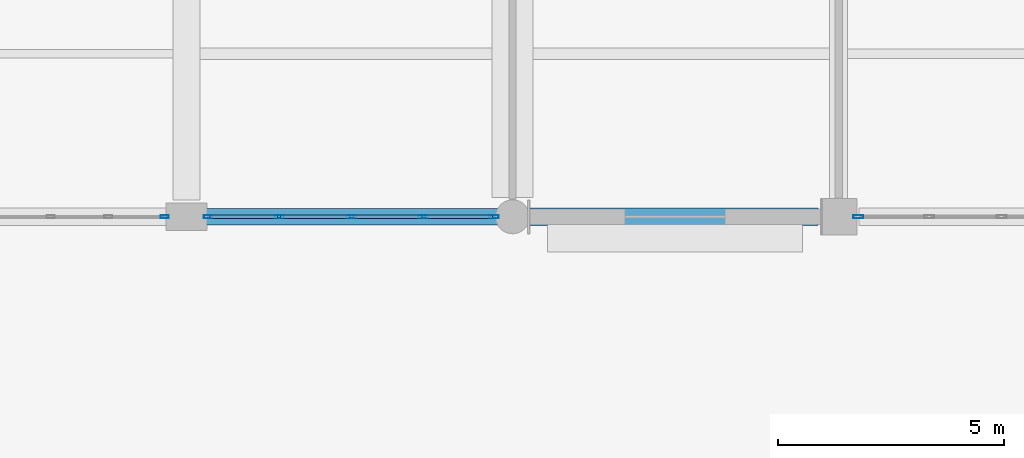
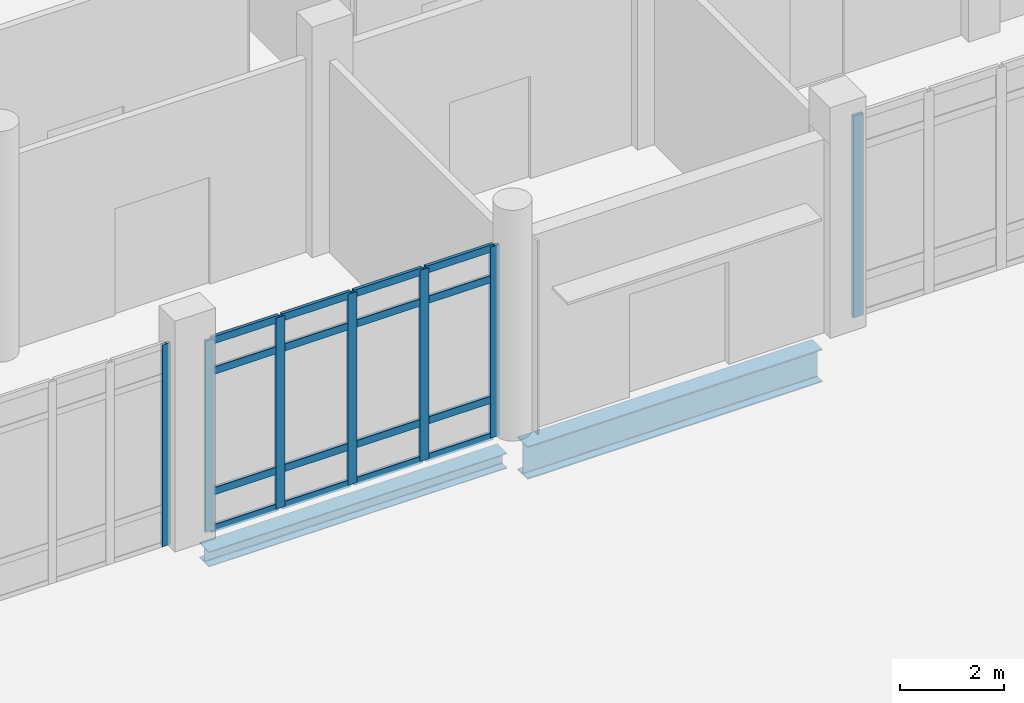
# One storey, part 129 of 229: 23 members, 2 beams, 3 elements without a shape of their own.
"""IFC4 building model written with IfcOpenShell, lengths in metres."""

from ifc_helpers import new_model, si_unit, direction, frame, origin, origin_2d, place, context, subcontext, project, spatial, hollow_rectangle, i_section, extrude, material, layer, layer_set, material_profile, profile_set, type_object, element, aggregate, save


model = new_model("IFC4")

# Units and contexts
model_context = context("Model", 3, precision=1e-05, world=origin(), true_north=direction((0.0, 1.0)))
body_context = subcontext(model_context, "Body", "Model", "MODEL_VIEW")
ifc_project = project(units=[si_unit("LENGTHUNIT", "METRE"), si_unit("AREAUNIT", "SQUARE_METRE"), si_unit("VOLUMEUNIT", "CUBIC_METRE"), si_unit("PLANEANGLEUNIT", "RADIAN"), si_unit("MASSUNIT", "GRAM", prefix="KILO")], contexts=[model_context])

# Site, building, storey
site_placement = place(None, origin())
site = spatial("IfcSite", under=ifc_project, at=site_placement, CompositionType="ELEMENT")
building_placement = place(site_placement, origin())
building = spatial("IfcBuilding", under=site, at=building_placement, Name="Calvrana Isthmian Art Gallery", CompositionType="ELEMENT")
storey_placement = place(building_placement, origin())
storey = spatial("IfcBuildingStorey", under=building, at=storey_placement, Name="L00", CompositionType="ELEMENT", Elevation=0.0)

# Beams
ifc_material_1 = material(Name="Steel ASTM A992 Gr 50", Category="steel")
ifc_material_profile_1 = material_profile(ifc_material_1, i_section(OverallWidth=0.381103515625, OverallDepth=0.77197265625, WebThickness=0.0166015625, FlangeThickness=0.027099609375, FilletRadius=0.02490234375, at=origin_2d()), Name="W30X173")
ifc_profile_set_1 = profile_set([ifc_material_profile_1], Name="Steel ASTM A992 Gr 50")
beam_type_1 = type_object("IfcBeamType", Name="BM-G-W30X173", PredefinedType="BEAM", material=ifc_profile_set_1)
beam_1_placement = place(storey_placement, frame((134.625, 76.800048828125, -0.740966796875), z_axis=(1.0, 0.0, 0.0), x_axis=(0.0, 1.0, 0.0)))
element("IfcBeam", 1, at=beam_1_placement, inside=storey, type_object=beam_type_1, Name="Girder X L00 18-19/K", PredefinedType="BEAM", context=body_context, shape_type="SweptSolid", body=[
    extrude(i_section(OverallWidth=0.381103515625, OverallDepth=0.77197265625, WebThickness=0.0166015625, FlangeThickness=0.027099609375, FilletRadius=0.02490234375, at=origin_2d()), origin(), (0.0, 0.0, 1.0), 6.52490234375),
])
ifc_material_profile_2 = material_profile(ifc_material_1, i_section(OverallWidth=0.367919921875, OverallDepth=0.35595703125, WebThickness=0.01123046875, FlangeThickness=0.01806640625, FilletRadius=0.02490234375, at=origin_2d()), Name="W14X90")
ifc_profile_set_2 = profile_set([ifc_material_profile_2], Name="Steel ASTM A992 Gr 50")
beam_type_2 = type_object("IfcBeamType", Name="BM-SP-W14X90", PredefinedType="SPANDREL", material=ifc_profile_set_2)
beam_2_placement = place(storey_placement, frame((127.574951171875, 76.800048828125, -0.532958984375), z_axis=(1.0, 0.0, 0.0), x_axis=(0.0, 1.0, 0.0)))
element("IfcBeam", 2, at=beam_2_placement, inside=storey, type_object=beam_type_2, Name="Girder X L00 17-18/K", PredefinedType="SPANDREL", context=body_context, shape_type="SweptSolid", body=[
    extrude(i_section(OverallWidth=0.367919921875, OverallDepth=0.35595703125, WebThickness=0.01123046875, FlangeThickness=0.01806640625, FilletRadius=0.02490234375, at=origin_2d()), origin(), (0.0, 0.0, 1.0), 6.60009765625),
])

# Curtain wall, member
ifc_material_2 = material(Name="Anodized bronze aluminium 6063-T6", Category="aluminium")
ifc_layer_1 = layer(ifc_material_2, 0.179931640625, Name="Anodized bronze aluminium 6063-T6")
ifc_layer_set_1 = layer_set([ifc_layer_1], Name="Anodized bronze aluminium 6063-T6")
curtain_wall_type_1 = type_object("IfcCurtainWallType", Name="CW-STICK-064X47", PredefinedType="NOTDEFINED", material=ifc_layer_set_1)
curtain_wall_1_placement = place(storey_placement, origin())
curtain_wall_1 = element("IfcCurtainWall", 3, at=curtain_wall_1_placement, inside=storey, type_object=curtain_wall_type_1, Name="Curtain wall CW-032", PredefinedType="NOTDEFINED")
ifc_material_profile_3 = material_profile(ifc_material_2, hollow_rectangle(XDim=0.06494140625, YDim=0.179931640625, WallThickness=0.00439453125, at=origin_2d()), Name="CWM65X180")
ifc_profile_set_3 = profile_set([ifc_material_profile_3], Name="Anodized bronze aluminium 6063-T6")
member_type_1 = type_object("IfcMemberType", Name="CWM-CWM65X180", PredefinedType="MULLION", material=ifc_profile_set_3)
member_1_placement = place(storey_placement, frame((126.717529296875, 76.800048828125, 0.0), z_axis=(0.0, 0.0, 1.0), x_axis=(0.0, -1.0, 0.0)))
member_1 = element("IfcMember", 4, at=member_1_placement, type_object=member_type_1, Name="CW-032 mullion 1", PredefinedType="MULLION", context=body_context, shape_type="SweptSolid", body=[
    extrude(hollow_rectangle(XDim=0.06494140625, YDim=0.179931640625, WallThickness=0.00439453125, at=origin_2d()), origin(), (0.0, 0.0, 1.0), 4.72412109375),
])
aggregate(curtain_wall_1, [member_1])

# Curtain wall, members
ifc_layer_2 = layer(ifc_material_2, 0.179931640625, Name="Anodized bronze aluminium 6063-T6")
ifc_layer_set_2 = layer_set([ifc_layer_2], Name="Anodized bronze aluminium 6063-T6")
curtain_wall_type_2 = type_object("IfcCurtainWallType", Name="CW-STICK-064X45", PredefinedType="NOTDEFINED", material=ifc_layer_set_2)
curtain_wall_2_placement = place(storey_placement, origin())
curtain_wall_2 = element("IfcCurtainWall", 5, at=curtain_wall_2_placement, inside=storey, type_object=curtain_wall_type_2, Name="Curtain wall CW-033", PredefinedType="NOTDEFINED")
ifc_material_profile_4 = material_profile(ifc_material_2, hollow_rectangle(XDim=0.070068359375, YDim=0.199951171875, WallThickness=0.0048828125, at=origin_2d()), Name="CWM70X200")
ifc_profile_set_4 = profile_set([ifc_material_profile_4], Name="Anodized bronze aluminium 6063-T6")
member_type_2 = type_object("IfcMemberType", Name="CWM-CWM70X200", PredefinedType="MULLION", material=ifc_profile_set_4)
member_2_placement = place(storey_placement, frame((133.989990234375, 76.800048828125, 0.0), z_axis=(0.0, 0.0, 1.0), x_axis=(0.0, -1.0, 0.0)))
member_2 = element("IfcMember", 6, at=member_2_placement, type_object=member_type_2, Name="CW-033 mullion 1", PredefinedType="MULLION", context=body_context, shape_type="SweptSolid", body=[
    extrude(hollow_rectangle(XDim=0.070068359375, YDim=0.199951171875, WallThickness=0.0048828125, at=origin_2d()), origin(), (0.0, 0.0, 1.0), 4.472900390625),
])
member_3_placement = place(storey_placement, frame((132.43115234375, 76.800048828125, 0.0), z_axis=(0.0, 0.0, 1.0), x_axis=(0.0, -1.0, 0.0)))
member_3 = element("IfcMember", 7, at=member_3_placement, type_object=member_type_2, Name="CW-033 mullion 2", PredefinedType="MULLION", context=body_context, shape_type="SweptSolid", body=[
    extrude(hollow_rectangle(XDim=0.070068359375, YDim=0.199951171875, WallThickness=0.0048828125, at=origin_2d()), origin(), (0.0, 0.0, 1.0), 4.472900390625),
])
member_4_placement = place(storey_placement, frame((130.83740234375, 76.800048828125, 0.0), z_axis=(0.0, 0.0, 1.0), x_axis=(0.0, -1.0, 0.0)))
member_4 = element("IfcMember", 8, at=member_4_placement, type_object=member_type_2, Name="CW-033 mullion 3", PredefinedType="MULLION", context=body_context, shape_type="SweptSolid", body=[
    extrude(hollow_rectangle(XDim=0.070068359375, YDim=0.199951171875, WallThickness=0.0048828125, at=origin_2d()), origin(), (0.0, 0.0, 1.0), 4.472900390625),
])
member_5_placement = place(storey_placement, frame((129.24365234375, 76.800048828125, 0.0), z_axis=(0.0, 0.0, 1.0), x_axis=(0.0, -1.0, 0.0)))
member_5 = element("IfcMember", 9, at=member_5_placement, type_object=member_type_2, Name="CW-033 mullion 4", PredefinedType="MULLION", context=body_context, shape_type="SweptSolid", body=[
    extrude(hollow_rectangle(XDim=0.070068359375, YDim=0.199951171875, WallThickness=0.0048828125, at=origin_2d()), origin(), (0.0, 0.0, 1.0), 4.472900390625),
])
member_6_placement = place(storey_placement, frame((127.68505859375, 76.800048828125, 0.0), z_axis=(0.0, 0.0, 1.0), x_axis=(0.0, -1.0, 0.0)))
member_6 = element("IfcMember", 10, at=member_6_placement, type_object=member_type_2, Name="CW-033 mullion 5", PredefinedType="MULLION", context=body_context, shape_type="SweptSolid", body=[
    extrude(hollow_rectangle(XDim=0.070068359375, YDim=0.199951171875, WallThickness=0.0048828125, at=origin_2d()), origin(), (0.0, 0.0, 1.0), 4.472900390625),
])

# Curtain wall, member
curtain_wall_3_placement = place(storey_placement, origin())
curtain_wall_3 = element("IfcCurtainWall", 11, at=curtain_wall_3_placement, inside=storey, type_object=curtain_wall_type_1, Name="Curtain wall CW-034", PredefinedType="NOTDEFINED")
ifc_material_profile_5 = material_profile(ifc_material_2, hollow_rectangle(XDim=0.074951171875, YDim=0.219970703125, WallThickness=0.0048828125, at=origin_2d()), Name="CWM75X220")
ifc_profile_set_5 = profile_set([ifc_material_profile_5], Name="Anodized bronze aluminium 6063-T6")
member_type_3 = type_object("IfcMemberType", Name="CWM-CWM75X220", PredefinedType="MULLION", material=ifc_profile_set_5)
member_7_placement = place(storey_placement, frame((142.03759765625, 76.800048828125, 0.0), z_axis=(0.0, 0.0, 1.0), x_axis=(0.0, -1.0, 0.0)))
member_7 = element("IfcMember", 12, at=member_7_placement, type_object=member_type_3, Name="CW-034 mullion 5", PredefinedType="MULLION", context=body_context, shape_type="SweptSolid", body=[
    extrude(hollow_rectangle(XDim=0.074951171875, YDim=0.219970703125, WallThickness=0.0048828125, at=origin_2d()), origin(), (0.0, 0.0, 1.0), 4.72412109375),
])
aggregate(curtain_wall_3, [member_7])

# Member
ifc_material_profile_6 = material_profile(ifc_material_2, hollow_rectangle(XDim=0.070068359375, YDim=0.169921875, WallThickness=0.00439453125, at=origin_2d()), Name="CWT70X170")
ifc_profile_set_6 = profile_set([ifc_material_profile_6], Name="Anodized bronze aluminium 6063-T6")
member_type_4 = type_object("IfcMemberType", Name="CWT-CWT70X170", PredefinedType="USERDEFINED", material=ifc_profile_set_6)
member_8_placement = place(storey_placement, frame((133.955078125, 76.800048828125, 0.034912109375), z_axis=(-1.0, 0.0, 0.0), x_axis=(0.0, -1.0, 0.0)))
member_8 = element("IfcMember", 13, at=member_8_placement, type_object=member_type_4, Name="CW-033 transom 1.1", ObjectType="TRANSOM", PredefinedType="USERDEFINED", context=body_context, shape_type="SweptSolid", body=[
    extrude(hollow_rectangle(XDim=0.070068359375, YDim=0.169921875, WallThickness=0.00439453125, at=origin_2d()), origin(), (0.0, 0.0, 1.0), 1.48876953125),
])

member_9_placement = place(storey_placement, frame((133.955078125, 76.800048828125, 0.89990234375), z_axis=(-1.0, 0.0, 0.0), x_axis=(0.0, -1.0, 0.0)))
member_9 = element("IfcMember", 14, at=member_9_placement, type_object=member_type_4, Name="CW-033 transom 1.2", ObjectType="TRANSOM", PredefinedType="USERDEFINED", context=body_context, shape_type="SweptSolid", body=[
    extrude(hollow_rectangle(XDim=0.070068359375, YDim=0.169921875, WallThickness=0.00439453125, at=origin_2d()), origin(), (0.0, 0.0, 1.0), 1.48876953125),
])

member_10_placement = place(storey_placement, frame((133.955078125, 76.800048828125, 3.722900390625), z_axis=(-1.0, 0.0, 0.0), x_axis=(0.0, -1.0, 0.0)))
member_10 = element("IfcMember", 15, at=member_10_placement, type_object=member_type_4, Name="CW-033 transom 1.3", ObjectType="TRANSOM", PredefinedType="USERDEFINED", context=body_context, shape_type="SweptSolid", body=[
    extrude(hollow_rectangle(XDim=0.070068359375, YDim=0.169921875, WallThickness=0.00439453125, at=origin_2d()), origin(), (0.0, 0.0, 1.0), 1.48876953125),
])

member_11_placement = place(storey_placement, frame((133.955078125, 76.800048828125, 4.43798828125), z_axis=(-1.0, 0.0, 0.0), x_axis=(0.0, -1.0, 0.0)))
member_11 = element("IfcMember", 16, at=member_11_placement, type_object=member_type_4, Name="CW-033 transom 1.4", ObjectType="TRANSOM", PredefinedType="USERDEFINED", context=body_context, shape_type="SweptSolid", body=[
    extrude(hollow_rectangle(XDim=0.070068359375, YDim=0.169921875, WallThickness=0.00439453125, at=origin_2d()), origin(), (0.0, 0.0, 1.0), 1.48876953125),
])

member_12_placement = place(storey_placement, frame((132.396240234375, 76.800048828125, 0.034912109375), z_axis=(-1.0, 0.0, 0.0), x_axis=(0.0, -1.0, 0.0)))
member_12 = element("IfcMember", 17, at=member_12_placement, type_object=member_type_4, Name="CW-033 transom 2.1", ObjectType="TRANSOM", PredefinedType="USERDEFINED", context=body_context, shape_type="SweptSolid", body=[
    extrude(hollow_rectangle(XDim=0.070068359375, YDim=0.169921875, WallThickness=0.00439453125, at=origin_2d()), origin(), (0.0, 0.0, 1.0), 1.523681640625),
])

member_13_placement = place(storey_placement, frame((132.396240234375, 76.800048828125, 0.89990234375), z_axis=(-1.0, 0.0, 0.0), x_axis=(0.0, -1.0, 0.0)))
member_13 = element("IfcMember", 18, at=member_13_placement, type_object=member_type_4, Name="CW-033 transom 2.2", ObjectType="TRANSOM", PredefinedType="USERDEFINED", context=body_context, shape_type="SweptSolid", body=[
    extrude(hollow_rectangle(XDim=0.070068359375, YDim=0.169921875, WallThickness=0.00439453125, at=origin_2d()), origin(), (0.0, 0.0, 1.0), 1.523681640625),
])

member_14_placement = place(storey_placement, frame((132.396240234375, 76.800048828125, 3.722900390625), z_axis=(-1.0, 0.0, 0.0), x_axis=(0.0, -1.0, 0.0)))
member_14 = element("IfcMember", 19, at=member_14_placement, type_object=member_type_4, Name="CW-033 transom 2.3", ObjectType="TRANSOM", PredefinedType="USERDEFINED", context=body_context, shape_type="SweptSolid", body=[
    extrude(hollow_rectangle(XDim=0.070068359375, YDim=0.169921875, WallThickness=0.00439453125, at=origin_2d()), origin(), (0.0, 0.0, 1.0), 1.523681640625),
])

member_15_placement = place(storey_placement, frame((132.396240234375, 76.800048828125, 4.43798828125), z_axis=(-1.0, 0.0, 0.0), x_axis=(0.0, -1.0, 0.0)))
member_15 = element("IfcMember", 20, at=member_15_placement, type_object=member_type_4, Name="CW-033 transom 2.4", ObjectType="TRANSOM", PredefinedType="USERDEFINED", context=body_context, shape_type="SweptSolid", body=[
    extrude(hollow_rectangle(XDim=0.070068359375, YDim=0.169921875, WallThickness=0.00439453125, at=origin_2d()), origin(), (0.0, 0.0, 1.0), 1.523681640625),
])

member_16_placement = place(storey_placement, frame((130.802490234375, 76.800048828125, 0.034912109375), z_axis=(-1.0, 0.0, 0.0), x_axis=(0.0, -1.0, 0.0)))
member_16 = element("IfcMember", 21, at=member_16_placement, type_object=member_type_4, Name="CW-033 transom 3.1", ObjectType="TRANSOM", PredefinedType="USERDEFINED", context=body_context, shape_type="SweptSolid", body=[
    extrude(hollow_rectangle(XDim=0.070068359375, YDim=0.169921875, WallThickness=0.00439453125, at=origin_2d()), origin(), (0.0, 0.0, 1.0), 1.523681640625),
])

member_17_placement = place(storey_placement, frame((130.802490234375, 76.800048828125, 0.89990234375), z_axis=(-1.0, 0.0, 0.0), x_axis=(0.0, -1.0, 0.0)))
member_17 = element("IfcMember", 22, at=member_17_placement, type_object=member_type_4, Name="CW-033 transom 3.2", ObjectType="TRANSOM", PredefinedType="USERDEFINED", context=body_context, shape_type="SweptSolid", body=[
    extrude(hollow_rectangle(XDim=0.070068359375, YDim=0.169921875, WallThickness=0.00439453125, at=origin_2d()), origin(), (0.0, 0.0, 1.0), 1.523681640625),
])

member_18_placement = place(storey_placement, frame((130.802490234375, 76.800048828125, 3.722900390625), z_axis=(-1.0, 0.0, 0.0), x_axis=(0.0, -1.0, 0.0)))
member_18 = element("IfcMember", 23, at=member_18_placement, type_object=member_type_4, Name="CW-033 transom 3.3", ObjectType="TRANSOM", PredefinedType="USERDEFINED", context=body_context, shape_type="SweptSolid", body=[
    extrude(hollow_rectangle(XDim=0.070068359375, YDim=0.169921875, WallThickness=0.00439453125, at=origin_2d()), origin(), (0.0, 0.0, 1.0), 1.523681640625),
])

member_19_placement = place(storey_placement, frame((130.802490234375, 76.800048828125, 4.43798828125), z_axis=(-1.0, 0.0, 0.0), x_axis=(0.0, -1.0, 0.0)))
member_19 = element("IfcMember", 24, at=member_19_placement, type_object=member_type_4, Name="CW-033 transom 3.4", ObjectType="TRANSOM", PredefinedType="USERDEFINED", context=body_context, shape_type="SweptSolid", body=[
    extrude(hollow_rectangle(XDim=0.070068359375, YDim=0.169921875, WallThickness=0.00439453125, at=origin_2d()), origin(), (0.0, 0.0, 1.0), 1.523681640625),
])

member_20_placement = place(storey_placement, frame((129.208740234375, 76.800048828125, 0.034912109375), z_axis=(-1.0, 0.0, 0.0), x_axis=(0.0, -1.0, 0.0)))
member_20 = element("IfcMember", 25, at=member_20_placement, type_object=member_type_4, Name="CW-033 transom 4.1", ObjectType="TRANSOM", PredefinedType="USERDEFINED", context=body_context, shape_type="SweptSolid", body=[
    extrude(hollow_rectangle(XDim=0.070068359375, YDim=0.169921875, WallThickness=0.00439453125, at=origin_2d()), origin(), (0.0, 0.0, 1.0), 1.48876953125),
])

member_21_placement = place(storey_placement, frame((129.208740234375, 76.800048828125, 0.89990234375), z_axis=(-1.0, 0.0, 0.0), x_axis=(0.0, -1.0, 0.0)))
member_21 = element("IfcMember", 26, at=member_21_placement, type_object=member_type_4, Name="CW-033 transom 4.2", ObjectType="TRANSOM", PredefinedType="USERDEFINED", context=body_context, shape_type="SweptSolid", body=[
    extrude(hollow_rectangle(XDim=0.070068359375, YDim=0.169921875, WallThickness=0.00439453125, at=origin_2d()), origin(), (0.0, 0.0, 1.0), 1.48876953125),
])

member_22_placement = place(storey_placement, frame((129.208740234375, 76.800048828125, 3.722900390625), z_axis=(-1.0, 0.0, 0.0), x_axis=(0.0, -1.0, 0.0)))
member_22 = element("IfcMember", 27, at=member_22_placement, type_object=member_type_4, Name="CW-033 transom 4.3", ObjectType="TRANSOM", PredefinedType="USERDEFINED", context=body_context, shape_type="SweptSolid", body=[
    extrude(hollow_rectangle(XDim=0.070068359375, YDim=0.169921875, WallThickness=0.00439453125, at=origin_2d()), origin(), (0.0, 0.0, 1.0), 1.48876953125),
])

member_23_placement = place(storey_placement, frame((129.208740234375, 76.800048828125, 4.43798828125), z_axis=(-1.0, 0.0, 0.0), x_axis=(0.0, -1.0, 0.0)))
member_23 = element("IfcMember", 28, at=member_23_placement, type_object=member_type_4, Name="CW-033 transom 4.4", ObjectType="TRANSOM", PredefinedType="USERDEFINED", context=body_context, shape_type="SweptSolid", body=[
    extrude(hollow_rectangle(XDim=0.070068359375, YDim=0.169921875, WallThickness=0.00439453125, at=origin_2d()), origin(), (0.0, 0.0, 1.0), 1.48876953125),
])

aggregate(curtain_wall_2, [member_2, member_3, member_4, member_5, member_6, member_8, member_9, member_10, member_11, member_12, member_13, member_14, member_15, member_16, member_17, member_18, member_19, member_20, member_21, member_22, member_23])

save(model, "model.ifc")
